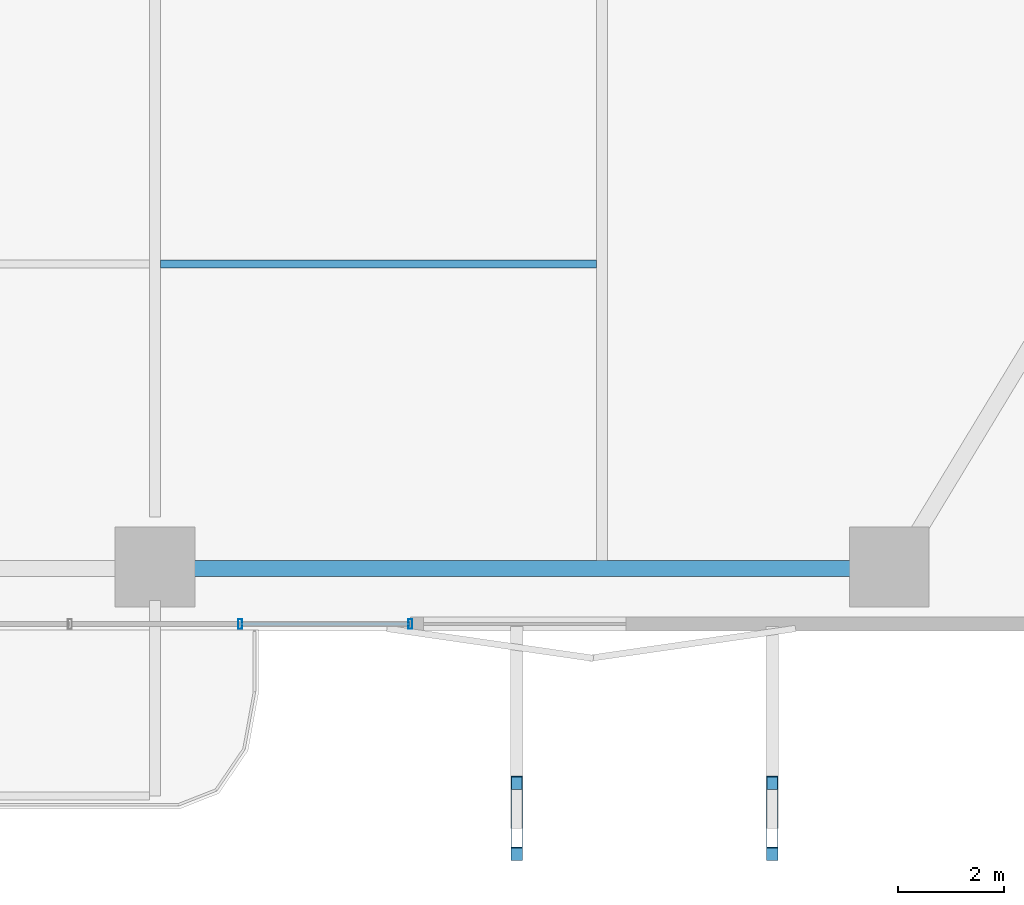
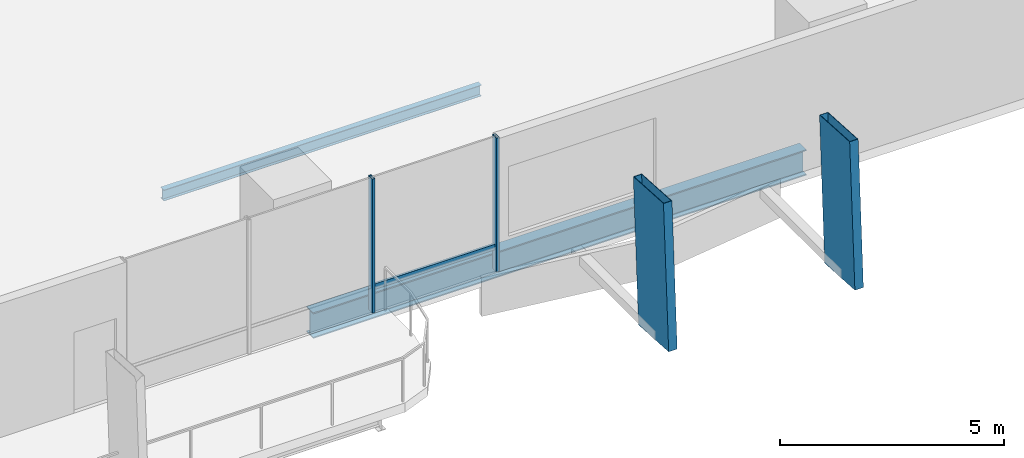
# One storey, part 8 of 30: 5 members, 2 beams, 1 element without a shape of its own.
"""IFC4 building model written with IfcOpenShell, lengths in metres."""

from ifc_helpers import new_model, si_unit, direction, frame, origin, origin_2d, place, context, subcontext, project, spatial, hollow_rectangle, i_section, extrude, material, layer, layer_set, material_profile, profile_set, type_object, element, aggregate, save


model = new_model("IFC4")

# Units and contexts
model_context = context("Model", 3, precision=1e-05, world=origin(), true_north=direction((0.0, 1.0)))
body_context = subcontext(model_context, "Body", "Model", "MODEL_VIEW")
ifc_project = project(units=[si_unit("LENGTHUNIT", "METRE"), si_unit("AREAUNIT", "SQUARE_METRE"), si_unit("VOLUMEUNIT", "CUBIC_METRE"), si_unit("PLANEANGLEUNIT", "RADIAN"), si_unit("MASSUNIT", "GRAM", prefix="KILO")], contexts=[model_context])

# Site, building, storey
site_placement = place(None, origin())
site = spatial("IfcSite", under=ifc_project, at=site_placement, CompositionType="ELEMENT")
building_placement = place(site_placement, origin())
building = spatial("IfcBuilding", under=site, at=building_placement, Name="Belovzor Exchange Tower", CompositionType="ELEMENT")
storey_placement = place(building_placement, frame((0.0, 0.0, 30.0)))
storey = spatial("IfcBuildingStorey", under=building, at=storey_placement, Name="L06", CompositionType="ELEMENT", Elevation=30.0)

# Members
ifc_material_1 = material(Name="Extruded Architectural Terracotta on Steel S355 Carrier", Category="masonry")
ifc_material_profile_1 = material_profile(ifc_material_1, hollow_rectangle(XDim=0.219970703125, YDim=1.35009765625, WallThickness=0.013916015625, at=origin_2d()))
ifc_profile_set_1 = profile_set([ifc_material_profile_1], Name="Extruded Architectural Terracotta on Steel S355 Carrier")
member_type_1 = type_object("IfcMemberType", Name="Base Arc Sweeping Terracotta Pylon Fin 1450", PredefinedType="USERDEFINED", material=ifc_profile_set_1)
for number, where, z_axis, x_axis, name in (
    (1, (35.60009765625, -2.737060546875, -0.25), (0.0, 0.059678094331, 0.998217674186), (-1.0, 0.0, 0.0), "FIN-TC145 Terracotta Facade Fin L06 S3"),
    (2, (40.39990234375, -2.737060546875, -0.25), (0.0, 0.059678094331, 0.998217674186), (-1.0, 0.0, 0.0), "FIN-TC145 Terracotta Facade Fin L06 S4"),
):
    element("IfcMember", number, at=place(storey_placement, frame(where, z_axis=z_axis, x_axis=x_axis)), inside=storey, type_object=member_type_1, Name=name, ObjectType="FIN", PredefinedType="USERDEFINED", context=body_context, shape_type="SweptSolid", body=[
        extrude(hollow_rectangle(XDim=0.219970703125, YDim=1.35009765625, WallThickness=0.013916015625, at=origin_2d()), origin(), (0.0, 0.0, 1.0), 3.906982421875),
    ])

# Beam
ifc_material_2 = material(Name="Steel S355", Category="steel")
ifc_material_profile_2 = material_profile(ifc_material_2, i_section(OverallWidth=0.14990234375, OverallDepth=0.300048828125, WebThickness=0.007080078125, FlangeThickness=0.0107421875, at=origin_2d()))
ifc_profile_set_2 = profile_set([ifc_material_profile_2], Name="Steel S355")
beam_type_1 = type_object("IfcBeamType", Name="Secondary Trim Floor Joist IPE 300", PredefinedType="BEAM", material=ifc_profile_set_2)
beam_1_placement = place(storey_placement, frame((28.905029296875, 7.794921875, -0.39990234375), z_axis=(1.0, 0.0, 0.0), x_axis=(0.0, 1.0, 0.0)))
element("IfcBeam", 3, at=beam_1_placement, inside=storey, type_object=beam_type_1, Name="FJ-300 Secondary Trim Floor Joist IPE 300", PredefinedType="BEAM", context=body_context, shape_type="SweptSolid", body=[
    extrude(i_section(OverallWidth=0.14990234375, OverallDepth=0.300048828125, WebThickness=0.007080078125, FlangeThickness=0.0107421875, at=origin_2d()), origin(), (0.0, 0.0, 1.0), 8.18994140625),
])

# Curtain wall, members
ifc_material_3 = material(Name="Anodised Aluminium Framing", Category="aluminium")
ifc_layer = layer(ifc_material_3, 0.179931640625)
ifc_layer_set = layer_set([ifc_layer], Name="Anodised Aluminium Framing")
curtain_wall_type = type_object("IfcCurtainWallType", Name="Recessed Loggia Low-Iron Triple-Glazed Curtain Wall", PredefinedType="NOTDEFINED", material=ifc_layer_set)
curtain_wall_placement = place(storey_placement, origin())
curtain_wall = element("IfcCurtainWall", 4, at=curtain_wall_placement, inside=storey, type_object=curtain_wall_type, Name="CW3 Recessed Loggia Low-Iron Triple-Glazed Curtain Wall L06", PredefinedType="NOTDEFINED")
ifc_material_4 = material(Name="Steel S355", Category="steel")
ifc_material_profile_3 = material_profile(ifc_material_4, hollow_rectangle(XDim=0.074951171875, YDim=0.179931640625, WallThickness=0.0048828125, at=origin_2d()))
ifc_profile_set_3 = profile_set([ifc_material_profile_3], Name="Steel S355")
member_type_2 = type_object("IfcMemberType", Name="Thermally Broken Curtain Wall Mullion 180x75", PredefinedType="MULLION", material=ifc_profile_set_3)
member_1_placement = place(storey_placement, frame((33.60009765625, 1.030029296875, 0.0), z_axis=(0.0, 0.0, 1.0), x_axis=(-1.0, 0.0, 0.0)))
member_1 = element("IfcMember", 5, at=member_1_placement, type_object=member_type_2, Name="CW-M180 Curtain Wall Mullion 1", PredefinedType="MULLION", context=body_context, shape_type="SweptSolid", body=[
    extrude(hollow_rectangle(XDim=0.074951171875, YDim=0.179931640625, WallThickness=0.0048828125, at=origin_2d()), origin(), (0.0, 0.0, 1.0), 3.64990234375),
])
member_2_placement = place(storey_placement, frame((30.39990234375, 1.030029296875, 0.0), z_axis=(0.0, 0.0, 1.0), x_axis=(-1.0, 0.0, 0.0)))
member_2 = element("IfcMember", 6, at=member_2_placement, type_object=member_type_2, Name="CW-M180 Curtain Wall Mullion 2", PredefinedType="MULLION", context=body_context, shape_type="SweptSolid", body=[
    extrude(hollow_rectangle(XDim=0.074951171875, YDim=0.179931640625, WallThickness=0.0048828125, at=origin_2d()), origin(), (0.0, 0.0, 1.0), 3.64990234375),
])
ifc_material_5 = material(Name="Steel S355", Category="steel")
ifc_material_profile_4 = material_profile(ifc_material_5, hollow_rectangle(XDim=0.06005859375, YDim=0.14990234375, WallThickness=0.00390625, at=origin_2d()))
ifc_profile_set_4 = profile_set([ifc_material_profile_4], Name="Steel S355")
member_type_3 = type_object("IfcMemberType", Name="Thermally Broken Curtain Wall Transom 150x60", PredefinedType="USERDEFINED", material=ifc_profile_set_4)
member_3_placement = place(storey_placement, frame((33.592041015625, 1.030029296875, 0.64990234375), z_axis=(-1.0, 0.0, 0.0), x_axis=(0.0, -1.0, 0.0)))
member_3 = element("IfcMember", 7, at=member_3_placement, type_object=member_type_3, Name="CW-T150 Curtain Wall Transom 1", ObjectType="TRANSOM", PredefinedType="USERDEFINED", context=body_context, shape_type="SweptSolid", body=[
    extrude(hollow_rectangle(XDim=0.06005859375, YDim=0.14990234375, WallThickness=0.00390625, at=origin_2d()), origin(), (0.0, 0.0, 1.0), 3.18408203125),
])
aggregate(curtain_wall, [member_1, member_2, member_3])

# Beam
ifc_material_6 = material(Name="Steel S355", Category="steel")
ifc_material_profile_5 = material_profile(ifc_material_6, i_section(OverallWidth=0.300048828125, OverallDepth=0.699951171875, WebThickness=0.01708984375, FlangeThickness=0.031982421875, at=origin_2d()))
ifc_profile_set_5 = profile_set([ifc_material_profile_5], Name="Steel S355")
beam_type_2 = type_object("IfcBeamType", Name="Zone 1 Primary Perimeter Girder HEB 700", PredefinedType="BEAM", material=ifc_profile_set_5)
beam_2_placement = place(storey_placement, frame((29.405029296875, 2.070068359375, -0.60009765625), z_axis=(1.0, 0.0, 0.0), x_axis=(0.0, 1.0, 0.0)))
element("IfcBeam", 8, at=beam_2_placement, inside=storey, type_object=beam_type_2, Name="FG-Z1 Zone 1 Primary Perimeter Girder HEB 700", PredefinedType="BEAM", context=body_context, shape_type="SweptSolid", body=[
    extrude(i_section(OverallWidth=0.300048828125, OverallDepth=0.699951171875, WebThickness=0.01708984375, FlangeThickness=0.031982421875, at=origin_2d()), origin(), (0.0, 0.0, 1.0), 12.7099609375),
])

save(model, "model.ifc")
